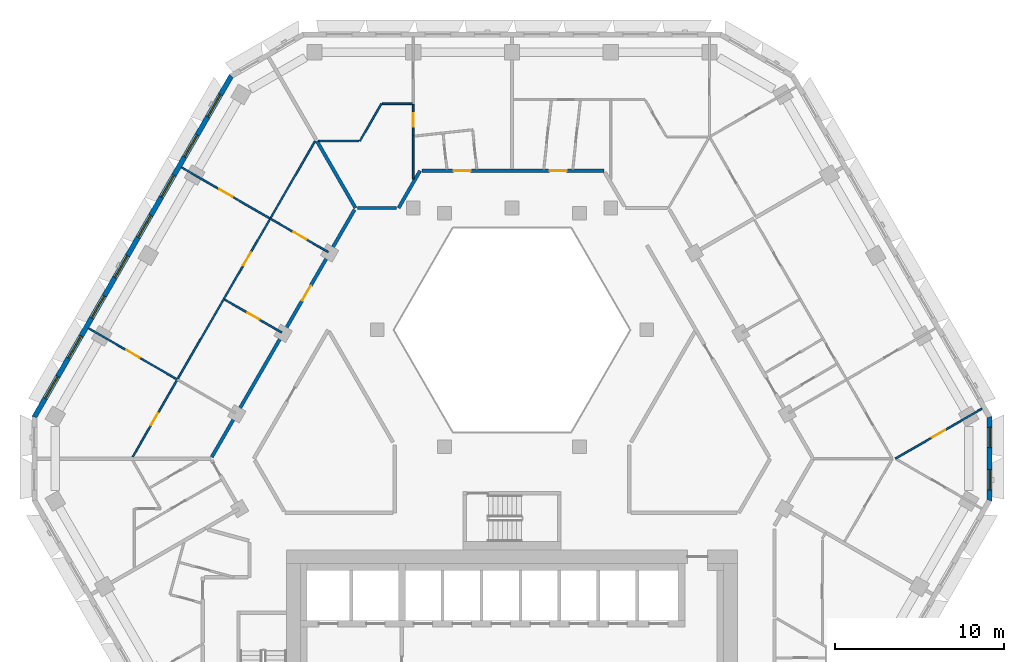
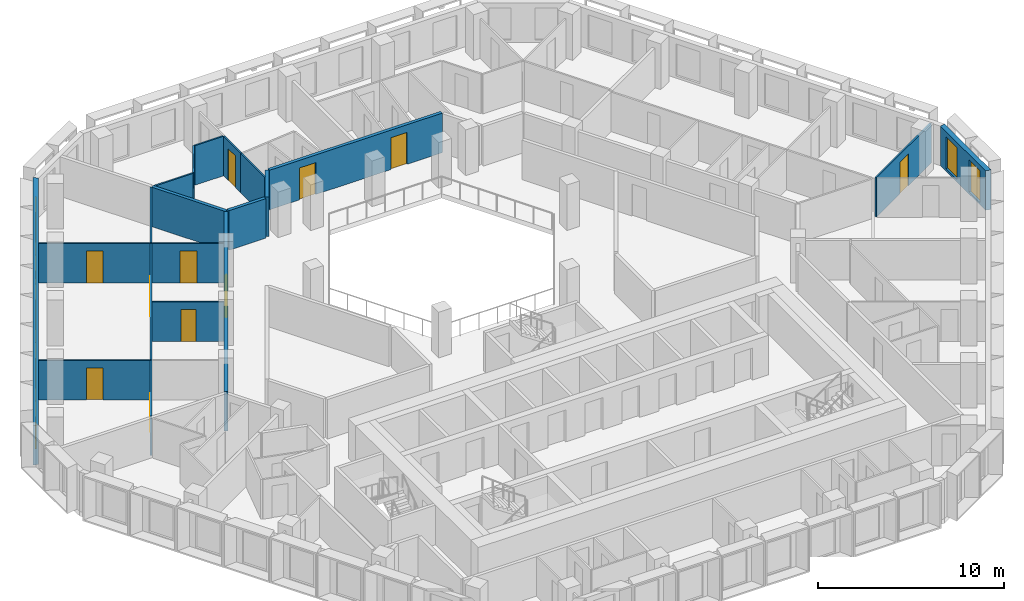
# One storey, part 7 of 17: 18 walls, 11 doors, 10 windows, 21 openings.
"""IFC4 building model written with IfcOpenShell, lengths in metres."""

from ifc_helpers import new_model, si_unit, direction, frame, frame_2d, origin, place, context, subcontext, project, spatial, polyline, rectangle, outline, extrude, material, layer, layer_set, type_object, element, fill, save


model = new_model("IFC4")

# Units and contexts
model_context = context("Model", 3, precision=1e-05, world=origin(), true_north=direction((0.0, 1.0)))
body_context = subcontext(model_context, "Body", "Model", "MODEL_VIEW")
ifc_project = project(units=[si_unit("LENGTHUNIT", "METRE"), si_unit("AREAUNIT", "SQUARE_METRE"), si_unit("VOLUMEUNIT", "CUBIC_METRE"), si_unit("PLANEANGLEUNIT", "RADIAN"), si_unit("MASSUNIT", "GRAM", prefix="KILO")], contexts=[model_context])

# Site, building, storey
site_placement = place(None, origin())
site = spatial("IfcSite", under=ifc_project, at=site_placement, CompositionType="ELEMENT")
building_placement = place(site_placement, origin())
building = spatial("IfcBuilding", under=site, at=building_placement, Name="Beryl Residences", CompositionType="ELEMENT")
storey_placement = place(building_placement, frame((0.0, 0.0, 150.60009765625)))
storey = spatial("IfcBuildingStorey", under=building, at=storey_placement, Name="L46", CompositionType="ELEMENT", Elevation=150.60009765625)

# Wall, openings, windows
ifc_material_1 = material(Name="Composite metal panel with mineral wool insulation")
ifc_layer_1 = layer(ifc_material_1, 0.300048828125)
ifc_layer_set_1 = layer_set([ifc_layer_1], Name="ES1 pale metal composite panel wall 300 mm")
wall_type_1 = type_object("IfcWallType", Name="ES1 pale metal composite panel wall 300 mm", PredefinedType="SOLIDWALL", material=ifc_layer_set_1)
wall_1_placement = place(storey_placement, frame((-16.554931640625, 23.02490234375, 0.0), z_axis=(0.0, 0.0, 1.0), x_axis=(-0.500020536353, -0.866013546791, 0.0)))
wall_1 = element("IfcWall", 1, at=wall_1_placement, inside=storey, type_object=wall_type_1, Name="ES1 external wall L46 NW", PredefinedType="SOLIDWALL", context=body_context, shape_type="SweptSolid", body=[
    extrude(outline(polyline([(0.0, -0.14990234375), (23.3251953125, -0.14990234375), (23.244873046875, 0.14990234375), (0.080322265625, 0.14990234375), (0.0, -0.14990234375)])), origin(), (0.0, 0.0, 1.0), 2.599853515625),
])
opening_1_placement = place(wall_1_placement, frame((1.31396484375, 0.0, 0.14990234375)))
opening_1 = element("IfcOpeningElement", 2, at=opening_1_placement, cuts=wall_1, Name="Opening W1", PredefinedType="OPENING", context=body_context, shape_type="SweptSolid", body=[
    extrude(rectangle(XDim=1.5, YDim=2.10009765625, at=frame_2d((0.75, 1.050048828125))), frame((0.0, 0.159912109375, 0.0), z_axis=(0.0, -1.0, 0.0), x_axis=(1.0, 0.0, 0.0)), (0.0, 0.0, 1.0), 0.320068359375),
])
opening_2_placement = place(wall_1_placement, frame((4.055908203125, 0.0, 0.14990234375)))
opening_2 = element("IfcOpeningElement", 3, at=opening_2_placement, cuts=wall_1, Name="Opening W1", PredefinedType="OPENING", context=body_context, shape_type="SweptSolid", body=[
    extrude(rectangle(XDim=1.5, YDim=2.10009765625, at=frame_2d((0.75, 1.050048828125))), frame((0.0, 0.159912109375, 0.0), z_axis=(0.0, -1.0, 0.0), x_axis=(1.0, 0.0, 0.0)), (0.0, 0.0, 1.0), 0.320068359375),
])
opening_3_placement = place(wall_1_placement, frame((6.799072265625, 0.0, 0.14990234375)))
opening_3 = element("IfcOpeningElement", 4, at=opening_3_placement, cuts=wall_1, Name="Opening W1", PredefinedType="OPENING", context=body_context, shape_type="SweptSolid", body=[
    extrude(rectangle(XDim=1.5, YDim=2.10009765625, at=frame_2d((0.75, 1.050048828125))), frame((0.0, 0.159912109375, 0.0), z_axis=(0.0, -1.0, 0.0), x_axis=(1.0, 0.0, 0.0)), (0.0, 0.0, 1.0), 0.320068359375),
])
opening_4_placement = place(wall_1_placement, frame((9.541015625, 0.0, 0.14990234375)))
opening_4 = element("IfcOpeningElement", 5, at=opening_4_placement, cuts=wall_1, Name="Opening W1", PredefinedType="OPENING", context=body_context, shape_type="SweptSolid", body=[
    extrude(rectangle(XDim=1.5, YDim=2.10009765625, at=frame_2d((0.75, 1.050048828125))), frame((0.0, 0.159912109375, 0.0), z_axis=(0.0, -1.0, 0.0), x_axis=(1.0, 0.0, 0.0)), (0.0, 0.0, 1.0), 0.320068359375),
])
opening_5_placement = place(wall_1_placement, frame((12.284912109375, 0.0, 0.14990234375)))
opening_5 = element("IfcOpeningElement", 6, at=opening_5_placement, cuts=wall_1, Name="Opening W1", PredefinedType="OPENING", context=body_context, shape_type="SweptSolid", body=[
    extrude(rectangle(XDim=1.5, YDim=2.10009765625, at=frame_2d((0.75, 1.050048828125))), frame((0.0, 0.159912109375, 0.0), z_axis=(0.0, -1.0, 0.0), x_axis=(1.0, 0.0, 0.0)), (0.0, 0.0, 1.0), 0.320068359375),
])
opening_6_placement = place(wall_1_placement, frame((15.027099609375, 0.0, 0.14990234375)))
opening_6 = element("IfcOpeningElement", 7, at=opening_6_placement, cuts=wall_1, Name="Opening W1", PredefinedType="OPENING", context=body_context, shape_type="SweptSolid", body=[
    extrude(rectangle(XDim=1.5, YDim=2.10009765625, at=frame_2d((0.75, 1.050048828125))), frame((0.0, 0.159912109375, 0.0), z_axis=(0.0, -1.0, 0.0), x_axis=(1.0, 0.0, 0.0)), (0.0, 0.0, 1.0), 0.320068359375),
])
opening_7_placement = place(wall_1_placement, frame((17.76904296875, 0.0, 0.14990234375)))
opening_7 = element("IfcOpeningElement", 8, at=opening_7_placement, cuts=wall_1, Name="Opening W1", PredefinedType="OPENING", context=body_context, shape_type="SweptSolid", body=[
    extrude(rectangle(XDim=1.5, YDim=2.10009765625, at=frame_2d((0.75, 1.050048828125))), frame((0.0, 0.159912109375, 0.0), z_axis=(0.0, -1.0, 0.0), x_axis=(1.0, 0.0, 0.0)), (0.0, 0.0, 1.0), 0.320068359375),
])
opening_8_placement = place(wall_1_placement, frame((20.511962890625, 0.0, 0.14990234375)))
opening_8 = element("IfcOpeningElement", 9, at=opening_8_placement, cuts=wall_1, Name="Opening W1", PredefinedType="OPENING", context=body_context, shape_type="SweptSolid", body=[
    extrude(rectangle(XDim=1.5, YDim=2.10009765625, at=frame_2d((0.75, 1.050048828125))), frame((0.0, 0.159912109375, 0.0), z_axis=(0.0, -1.0, 0.0), x_axis=(1.0, 0.0, 0.0)), (0.0, 0.0, 1.0), 0.320068359375),
])
ifc_material_2 = material(Name="Aluminium and clear glass", Category="aluminium")
window_type_1 = type_object("IfcWindowType", Name="W1 cell window 1500 x 2100 mm", PartitioningType="SINGLE_PANEL", PredefinedType="WINDOW", material=ifc_material_2)
window_1_placement = place(opening_1_placement, origin())
window_1 = element("IfcWindow", 10, at=window_1_placement, inside=storey, type_object=window_type_1, Name="W1 window L46 NW 1", OverallHeight=2.10009765625, OverallWidth=1.5, PartitioningType="SINGLE_PANEL", PredefinedType="WINDOW", context=body_context, shape_type="SweptSolid", body=[
    extrude(rectangle(XDim=1.5, YDim=2.10009765625, at=frame_2d((0.75, 1.050048828125))), frame((0.0, 0.030029296875, 0.0), z_axis=(0.0, -1.0, 0.0), x_axis=(1.0, 0.0, 0.0)), (0.0, 0.0, 1.0), 0.06005859375),
])
fill(opening_1, window_1)
window_2_placement = place(opening_2_placement, origin())
window_2 = element("IfcWindow", 11, at=window_2_placement, inside=storey, type_object=window_type_1, Name="W1 window L46 NW 2", OverallHeight=2.10009765625, OverallWidth=1.5, PartitioningType="SINGLE_PANEL", PredefinedType="WINDOW", context=body_context, shape_type="SweptSolid", body=[
    extrude(rectangle(XDim=1.5, YDim=2.10009765625, at=frame_2d((0.75, 1.050048828125))), frame((0.0, 0.030029296875, 0.0), z_axis=(0.0, -1.0, 0.0), x_axis=(1.0, 0.0, 0.0)), (0.0, 0.0, 1.0), 0.06005859375),
])
fill(opening_2, window_2)
window_3_placement = place(opening_3_placement, origin())
window_3 = element("IfcWindow", 12, at=window_3_placement, inside=storey, type_object=window_type_1, Name="W1 window L46 NW 3", OverallHeight=2.10009765625, OverallWidth=1.5, PartitioningType="SINGLE_PANEL", PredefinedType="WINDOW", context=body_context, shape_type="SweptSolid", body=[
    extrude(rectangle(XDim=1.5, YDim=2.10009765625, at=frame_2d((0.75, 1.050048828125))), frame((0.0, 0.030029296875, 0.0), z_axis=(0.0, -1.0, 0.0), x_axis=(1.0, 0.0, 0.0)), (0.0, 0.0, 1.0), 0.06005859375),
])
fill(opening_3, window_3)
window_4_placement = place(opening_4_placement, origin())
window_4 = element("IfcWindow", 13, at=window_4_placement, inside=storey, type_object=window_type_1, Name="W1 window L46 NW 4", OverallHeight=2.10009765625, OverallWidth=1.5, PartitioningType="SINGLE_PANEL", PredefinedType="WINDOW", context=body_context, shape_type="SweptSolid", body=[
    extrude(rectangle(XDim=1.5, YDim=2.10009765625, at=frame_2d((0.75, 1.050048828125))), frame((0.0, 0.030029296875, 0.0), z_axis=(0.0, -1.0, 0.0), x_axis=(1.0, 0.0, 0.0)), (0.0, 0.0, 1.0), 0.06005859375),
])
fill(opening_4, window_4)
window_5_placement = place(opening_5_placement, origin())
window_5 = element("IfcWindow", 14, at=window_5_placement, inside=storey, type_object=window_type_1, Name="W1 window L46 NW 5", OverallHeight=2.10009765625, OverallWidth=1.5, PartitioningType="SINGLE_PANEL", PredefinedType="WINDOW", context=body_context, shape_type="SweptSolid", body=[
    extrude(rectangle(XDim=1.5, YDim=2.10009765625, at=frame_2d((0.75, 1.050048828125))), frame((0.0, 0.030029296875, 0.0), z_axis=(0.0, -1.0, 0.0), x_axis=(1.0, 0.0, 0.0)), (0.0, 0.0, 1.0), 0.06005859375),
])
fill(opening_5, window_5)
window_6_placement = place(opening_6_placement, origin())
window_6 = element("IfcWindow", 15, at=window_6_placement, inside=storey, type_object=window_type_1, Name="W1 window L46 NW 6", OverallHeight=2.10009765625, OverallWidth=1.5, PartitioningType="SINGLE_PANEL", PredefinedType="WINDOW", context=body_context, shape_type="SweptSolid", body=[
    extrude(rectangle(XDim=1.5, YDim=2.10009765625, at=frame_2d((0.75, 1.050048828125))), frame((0.0, 0.030029296875, 0.0), z_axis=(0.0, -1.0, 0.0), x_axis=(1.0, 0.0, 0.0)), (0.0, 0.0, 1.0), 0.06005859375),
])
fill(opening_6, window_6)
window_7_placement = place(opening_7_placement, origin())
window_7 = element("IfcWindow", 16, at=window_7_placement, inside=storey, type_object=window_type_1, Name="W1 window L46 NW 7", OverallHeight=2.10009765625, OverallWidth=1.5, PartitioningType="SINGLE_PANEL", PredefinedType="WINDOW", context=body_context, shape_type="SweptSolid", body=[
    extrude(rectangle(XDim=1.5, YDim=2.10009765625, at=frame_2d((0.75, 1.050048828125))), frame((0.0, 0.030029296875, 0.0), z_axis=(0.0, -1.0, 0.0), x_axis=(1.0, 0.0, 0.0)), (0.0, 0.0, 1.0), 0.06005859375),
])
fill(opening_7, window_7)
window_8_placement = place(opening_8_placement, origin())
window_8 = element("IfcWindow", 17, at=window_8_placement, inside=storey, type_object=window_type_1, Name="W1 window L46 NW 8", OverallHeight=2.10009765625, OverallWidth=1.5, PartitioningType="SINGLE_PANEL", PredefinedType="WINDOW", context=body_context, shape_type="SweptSolid", body=[
    extrude(rectangle(XDim=1.5, YDim=2.10009765625, at=frame_2d((0.75, 1.050048828125))), frame((0.0, 0.030029296875, 0.0), z_axis=(0.0, -1.0, 0.0), x_axis=(1.0, 0.0, 0.0)), (0.0, 0.0, 1.0), 0.06005859375),
])
fill(opening_8, window_8)

wall_2_placement = place(storey_placement, frame((28.197998046875, -2.10009765625, 0.0), z_axis=(0.0, 0.0, 1.0), x_axis=(0.0, 1.0, 0.0)))
wall_2 = element("IfcWall", 18, at=wall_2_placement, inside=storey, type_object=wall_type_1, Name="ES1 external wall L46 SE-NE", PredefinedType="SOLIDWALL", context=body_context, shape_type="SweptSolid", body=[
    extrude(outline(polyline([(0.0, -0.14990234375), (5.0, -0.14990234375), (4.919677734375, 0.14990234375), (0.080322265625, 0.14990234375), (0.0, -0.14990234375)])), origin(), (0.0, 0.0, 1.0), 2.599853515625),
])
opening_9_placement = place(wall_2_placement, frame((0.64990234375, 0.0, 0.14990234375)))
opening_9 = element("IfcOpeningElement", 19, at=opening_9_placement, cuts=wall_2, Name="Opening W2", PredefinedType="OPENING", context=body_context, shape_type="SweptSolid", body=[
    extrude(rectangle(XDim=1.199951171875, YDim=2.10009765625, at=frame_2d((0.60009765625, 1.050048828125))), frame((0.0, 0.159912109375, 0.0), z_axis=(0.0, -1.0, 0.0), x_axis=(1.0, 0.0, 0.0)), (0.0, 0.0, 1.0), 0.320068359375),
])
opening_10_placement = place(wall_2_placement, frame((3.14990234375, 0.0, 0.14990234375)))
opening_10 = element("IfcOpeningElement", 20, at=opening_10_placement, cuts=wall_2, Name="Opening W2", PredefinedType="OPENING", context=body_context, shape_type="SweptSolid", body=[
    extrude(rectangle(XDim=1.199951171875, YDim=2.10009765625, at=frame_2d((0.60009765625, 1.050048828125))), frame((0.0, 0.159912109375, 0.0), z_axis=(0.0, -1.0, 0.0), x_axis=(1.0, 0.0, 0.0)), (0.0, 0.0, 1.0), 0.320068359375),
])
ifc_material_3 = material(Name="Aluminium and clear glass", Category="aluminium")
window_type_2 = type_object("IfcWindowType", Name="W2 chamfer window 1200 x 2100 mm", PartitioningType="SINGLE_PANEL", PredefinedType="WINDOW", material=ifc_material_3)
window_9_placement = place(opening_9_placement, origin())
window_9 = element("IfcWindow", 21, at=window_9_placement, inside=storey, type_object=window_type_2, Name="W2 window L46 SE-NE 1", OverallHeight=2.10009765625, OverallWidth=1.199951171875, PartitioningType="SINGLE_PANEL", PredefinedType="WINDOW", context=body_context, shape_type="SweptSolid", body=[
    extrude(rectangle(XDim=1.199951171875, YDim=2.10009765625, at=frame_2d((0.60009765625, 1.050048828125))), frame((0.0, 0.030029296875, 0.0), z_axis=(0.0, -1.0, 0.0), x_axis=(1.0, 0.0, 0.0)), (0.0, 0.0, 1.0), 0.06005859375),
])
fill(opening_9, window_9)
window_10_placement = place(opening_10_placement, origin())
window_10 = element("IfcWindow", 22, at=window_10_placement, inside=storey, type_object=window_type_2, Name="W2 window L46 SE-NE 2", OverallHeight=2.10009765625, OverallWidth=1.199951171875, PartitioningType="SINGLE_PANEL", PredefinedType="WINDOW", context=body_context, shape_type="SweptSolid", body=[
    extrude(rectangle(XDim=1.199951171875, YDim=2.10009765625, at=frame_2d((0.60009765625, 1.050048828125))), frame((0.0, 0.030029296875, 0.0), z_axis=(0.0, -1.0, 0.0), x_axis=(1.0, 0.0, 0.0)), (0.0, 0.0, 1.0), 0.06005859375),
])
fill(opening_10, window_10)

# Wall, opening, door
ifc_material_4 = material(Name="Gypsum board partition on steel studs", Category="steel")
ifc_layer_2 = layer(ifc_material_4, 0.10009765625)
ifc_layer_set_2 = layer_set([ifc_layer_2], Name="PT1 partition 100 mm gypsum board on steel studs")
wall_type_2 = type_object("IfcWallType", Name="PT1 partition 100 mm gypsum board on steel studs", PredefinedType="PARTITIONING", material=ifc_layer_set_2)
wall_3_placement = place(storey_placement, frame((-5.8310546875, 21.324951171875, 0.0), z_axis=(0.0, 0.0, 1.0), x_axis=(0.0, -1.0, 0.0)))
wall_3 = element("IfcWall", 23, at=wall_3_placement, inside=storey, type_object=wall_type_2, Name="Wall PT1 L46 007", PredefinedType="PARTITIONING", context=body_context, shape_type="SweptSolid", body=[
    extrude(rectangle(XDim=1.8388671875, YDim=0.10009765625, at=frame_2d((0.91943359375, 0.0))), origin(), (0.0, 0.0, 1.0), 2.599853515625),
])
opening_11_placement = place(wall_3_placement, frame((0.51904296875, 0.0, 0.0)))
opening_11 = element("IfcOpeningElement", 24, at=opening_11_placement, cuts=wall_3, Name="Opening D1142", PredefinedType="OPENING", context=body_context, shape_type="SweptSolid", body=[
    extrude(rectangle(XDim=0.800048828125, YDim=2.10009765625, at=frame_2d((0.39990234375, 1.050048828125))), frame((0.0, 0.06005859375, 0.0), z_axis=(0.0, -1.0, 0.0), x_axis=(1.0, 0.0, 0.0)), (0.0, 0.0, 1.0), 0.1201171875),
])
ifc_material_5 = material(Name="Timber door leaf", Category="wood")
door_type_1 = type_object("IfcDoorType", Name="D3 bathroom door 800 x 2100 mm", OperationType="SINGLE_SWING_LEFT", PredefinedType="DOOR", material=ifc_material_5)
door_1_placement = place(opening_11_placement, origin())
door_1 = element("IfcDoor", 25, at=door_1_placement, inside=storey, type_object=door_type_1, Name="Door D1142 L46 001", OperationType="SINGLE_SWING_RIGHT", OverallHeight=2.10009765625, OverallWidth=0.800048828125, PredefinedType="DOOR", context=body_context, shape_type="SweptSolid", body=[
    extrude(rectangle(XDim=0.800048828125, YDim=2.10009765625, at=frame_2d((0.39990234375, 1.050048828125))), frame((0.0, 0.02490234375, 0.0), z_axis=(0.0, -1.0, 0.0), x_axis=(1.0, 0.0, 0.0)), (0.0, 0.0, 1.0), 0.050048828125),
])
fill(opening_11, door_1)

wall_4_placement = place(storey_placement, frame((-24.9990234375, 8.10009765625, 0.0), z_axis=(0.0, 0.0, 1.0), x_axis=(0.865978029808, -0.500082045158, 0.0)))
wall_4 = element("IfcWall", 26, at=wall_4_placement, inside=storey, type_object=wall_type_2, Name="Wall PT1 L46 013", PredefinedType="PARTITIONING", context=body_context, shape_type="SweptSolid", body=[
    extrude(rectangle(XDim=6.05322265625, YDim=0.10009765625, at=frame_2d((3.026611328125, 0.0))), origin(), (0.0, 0.0, 1.0), 2.599853515625),
])
opening_12_placement = place(wall_4_placement, frame((2.576904296875, 0.0, 0.0)))
opening_12 = element("IfcOpeningElement", 27, at=opening_12_placement, cuts=wall_4, Name="Opening D1147", PredefinedType="OPENING", context=body_context, shape_type="SweptSolid", body=[
    extrude(rectangle(XDim=0.89990234375, YDim=2.10009765625, at=frame_2d((0.449951171875, 1.050048828125))), frame((0.0, 0.06005859375, 0.0), z_axis=(0.0, -1.0, 0.0), x_axis=(1.0, 0.0, 0.0)), (0.0, 0.0, 1.0), 0.1201171875),
])
ifc_material_6 = material(Name="Timber door leaf", Category="wood")
door_type_2 = type_object("IfcDoorType", Name="D2 room door 900 x 2100 mm", OperationType="SINGLE_SWING_LEFT", PredefinedType="DOOR", material=ifc_material_6)
door_2_placement = place(opening_12_placement, origin())
door_2 = element("IfcDoor", 28, at=door_2_placement, inside=storey, type_object=door_type_2, Name="Door D1147 L46 001", OperationType="SINGLE_SWING_LEFT", OverallHeight=2.10009765625, OverallWidth=0.89990234375, PredefinedType="DOOR", context=body_context, shape_type="SweptSolid", body=[
    extrude(rectangle(XDim=0.89990234375, YDim=2.10009765625, at=frame_2d((0.449951171875, 1.050048828125))), frame((0.0, 0.02490234375, 0.0), z_axis=(0.0, -1.0, 0.0), x_axis=(1.0, 0.0, 0.0)), (0.0, 0.0, 1.0), 0.050048828125),
])
fill(opening_12, door_2)

wall_5_placement = place(storey_placement, frame((-16.970947265625, 9.798095703125, 0.0), z_axis=(0.0, 0.0, 1.0), x_axis=(0.866087525071, -0.499892387336, 0.0)))
wall_5 = element("IfcWall", 29, at=wall_5_placement, inside=storey, type_object=wall_type_2, Name="Wall PT1 L46 015", PredefinedType="PARTITIONING", context=body_context, shape_type="SweptSolid", body=[
    extrude(rectangle(XDim=3.896728515625, YDim=0.10009765625, at=frame_2d((1.9482421875, 0.0))), origin(), (0.0, 0.0, 1.0), 2.599853515625),
])
opening_13_placement = place(wall_5_placement, frame((1.573974609375, 0.0, 0.0)))
opening_13 = element("IfcOpeningElement", 30, at=opening_13_placement, cuts=wall_5, Name="Opening D1146", PredefinedType="OPENING", context=body_context, shape_type="SweptSolid", body=[
    extrude(rectangle(XDim=0.800048828125, YDim=2.10009765625, at=frame_2d((0.39990234375, 1.050048828125))), frame((0.0, 0.06005859375, 0.0), z_axis=(0.0, -1.0, 0.0), x_axis=(1.0, 0.0, 0.0)), (0.0, 0.0, 1.0), 0.1201171875),
])
door_3_placement = place(opening_13_placement, origin())
door_3 = element("IfcDoor", 31, at=door_3_placement, inside=storey, type_object=door_type_1, Name="Door D1146 L46 001", OperationType="SINGLE_SWING_RIGHT", OverallHeight=2.10009765625, OverallWidth=0.800048828125, PredefinedType="DOOR", context=body_context, shape_type="SweptSolid", body=[
    extrude(rectangle(XDim=0.800048828125, YDim=2.10009765625, at=frame_2d((0.39990234375, 1.050048828125))), frame((0.0, 0.02490234375, 0.0), z_axis=(0.0, -1.0, 0.0), x_axis=(1.0, 0.0, 0.0)), (0.0, 0.0, 1.0), 0.050048828125),
])
fill(opening_13, door_3)

wall_6_placement = place(storey_placement, frame((-19.513916015625, 17.59912109375, 0.0), z_axis=(0.0, 0.0, 1.0), x_axis=(0.866007554612, -0.500030914399, 0.0)))
wall_6 = element("IfcWall", 32, at=wall_6_placement, inside=storey, type_object=wall_type_2, Name="Wall PT1 L46 017", PredefinedType="PARTITIONING", context=body_context, shape_type="SweptSolid", body=[
    extrude(rectangle(XDim=6.0517578125, YDim=0.10009765625, at=frame_2d((3.02587890625, 0.0))), origin(), (0.0, 0.0, 1.0), 2.599853515625),
])
opening_14_placement = place(wall_6_placement, frame((2.575927734375, 0.0, 0.0)))
opening_14 = element("IfcOpeningElement", 33, at=opening_14_placement, cuts=wall_6, Name="Opening D1148", PredefinedType="OPENING", context=body_context, shape_type="SweptSolid", body=[
    extrude(rectangle(XDim=0.89990234375, YDim=2.10009765625, at=frame_2d((0.449951171875, 1.050048828125))), frame((0.0, 0.06005859375, 0.0), z_axis=(0.0, -1.0, 0.0), x_axis=(1.0, 0.0, 0.0)), (0.0, 0.0, 1.0), 0.1201171875),
])
door_4_placement = place(opening_14_placement, origin())
door_4 = element("IfcDoor", 34, at=door_4_placement, inside=storey, type_object=door_type_2, Name="Door D1148 L46 001", OperationType="SINGLE_SWING_RIGHT", OverallHeight=2.10009765625, OverallWidth=0.89990234375, PredefinedType="DOOR", context=body_context, shape_type="SweptSolid", body=[
    extrude(rectangle(XDim=0.89990234375, YDim=2.10009765625, at=frame_2d((0.449951171875, 1.050048828125))), frame((0.0, 0.02490234375, 0.0), z_axis=(0.0, -1.0, 0.0), x_axis=(1.0, 0.0, 0.0)), (0.0, 0.0, 1.0), 0.050048828125),
])
fill(opening_14, door_4)

# Walls
wall_7_placement = place(storey_placement, frame((-11.405029296875, 19.155029296875, 0.0), z_axis=(0.0, 0.0, 1.0), x_axis=(1.0, 0.0, 0.0)))
element("IfcWall", 35, at=wall_7_placement, inside=storey, type_object=wall_type_2, Name="Wall PT1 L46 025", PredefinedType="PARTITIONING", context=body_context, shape_type="SweptSolid", body=[
    extrude(rectangle(XDim=2.366943359375, YDim=0.10009765625, at=frame_2d((1.18359375, 0.0))), origin(), (0.0, 0.0, 1.0), 2.599853515625),
])
wall_8_placement = place(storey_placement, frame((-7.652099609375, 21.35498046875, 0.0), z_axis=(0.0, 0.0, 1.0), x_axis=(1.0, 0.0, 0.0)))
element("IfcWall", 36, at=wall_8_placement, inside=storey, type_object=wall_type_2, Name="Wall PT1 L46 027", PredefinedType="PARTITIONING", context=body_context, shape_type="SweptSolid", body=[
    extrude(rectangle(XDim=1.77099609375, YDim=0.10009765625, at=frame_2d((0.885498046875, 0.0))), origin(), (0.0, 0.0, 1.0), 2.599853515625),
])
wall_9_placement = place(storey_placement, frame((-8.98095703125, 19.155029296875, 0.0), z_axis=(0.0, 0.0, 1.0), x_axis=(0.500130227609, 0.865950203783, 0.0)))
element("IfcWall", 37, at=wall_9_placement, inside=storey, type_object=wall_type_2, Name="Wall PT1 L46 032", PredefinedType="PARTITIONING", context=body_context, shape_type="SweptSolid", body=[
    extrude(rectangle(XDim=2.539306640625, YDim=0.10009765625, at=frame_2d((1.26953125, 0.0))), origin(), (0.0, 0.0, 1.0), 2.599853515625),
])

# Wall, openings, doors
wall_10_placement = place(storey_placement, frame((-22.39794921875, 0.4990234375, 0.0), z_axis=(0.0, 0.0, 1.0), x_axis=(0.499981561717, 0.866036048871, 0.0)))
wall_10 = element("IfcWall", 38, at=wall_10_placement, inside=storey, type_object=wall_type_2, Name="Wall PT1 L46 033", PredefinedType="PARTITIONING", context=body_context, shape_type="SweptSolid", body=[
    extrude(rectangle(XDim=21.532470703125, YDim=0.10009765625, at=frame_2d((10.76611328125, 0.0))), origin(), (0.0, 0.0, 1.0), 2.599853515625),
])
opening_15_placement = place(wall_10_placement, frame((13.049072265625, 0.0, 0.0)))
opening_15 = element("IfcOpeningElement", 39, at=opening_15_placement, cuts=wall_10, Name="Opening D1144", PredefinedType="OPENING", context=body_context, shape_type="SweptSolid", body=[
    extrude(rectangle(XDim=0.89990234375, YDim=2.10009765625, at=frame_2d((0.449951171875, 1.050048828125))), frame((0.0, 0.06005859375, 0.0), z_axis=(0.0, -1.0, 0.0), x_axis=(1.0, 0.0, 0.0)), (0.0, 0.0, 1.0), 0.1201171875),
])
opening_16_placement = place(wall_10_placement, frame((2.18310546875, 0.0, 0.0)))
opening_16 = element("IfcOpeningElement", 40, at=opening_16_placement, cuts=wall_10, Name="Opening D1149", PredefinedType="OPENING", context=body_context, shape_type="SweptSolid", body=[
    extrude(rectangle(XDim=0.800048828125, YDim=2.10009765625, at=frame_2d((0.39990234375, 1.050048828125))), frame((0.0, 0.06005859375, 0.0), z_axis=(0.0, -1.0, 0.0), x_axis=(1.0, 0.0, 0.0)), (0.0, 0.0, 1.0), 0.1201171875),
])
door_5_placement = place(opening_15_placement, origin())
door_5 = element("IfcDoor", 41, at=door_5_placement, inside=storey, type_object=door_type_2, Name="Door D1144 L46 001", OperationType="SINGLE_SWING_RIGHT", OverallHeight=2.10009765625, OverallWidth=0.89990234375, PredefinedType="DOOR", context=body_context, shape_type="SweptSolid", body=[
    extrude(rectangle(XDim=0.89990234375, YDim=2.10009765625, at=frame_2d((0.449951171875, 1.050048828125))), frame((0.0, 0.02490234375, 0.0), z_axis=(0.0, -1.0, 0.0), x_axis=(1.0, 0.0, 0.0)), (0.0, 0.0, 1.0), 0.050048828125),
])
fill(opening_15, door_5)
door_6_placement = place(opening_16_placement, origin())
door_6 = element("IfcDoor", 42, at=door_6_placement, inside=storey, type_object=door_type_1, Name="Door D1149 L46 001", OperationType="SINGLE_SWING_LEFT", OverallHeight=2.10009765625, OverallWidth=0.800048828125, PredefinedType="DOOR", context=body_context, shape_type="SweptSolid", body=[
    extrude(rectangle(XDim=0.800048828125, YDim=2.10009765625, at=frame_2d((0.39990234375, 1.050048828125))), frame((0.0, 0.02490234375, 0.0), z_axis=(0.0, -1.0, 0.0), x_axis=(1.0, 0.0, 0.0)), (0.0, 0.0, 1.0), 0.050048828125),
])
fill(opening_16, door_6)

# Wall
wall_11_placement = place(storey_placement, frame((-5.8310546875, 16.903076171875, 0.0), z_axis=(0.0, 0.0, 1.0), x_axis=(0.0, 1.0, 0.0)))
element("IfcWall", 43, at=wall_11_placement, inside=storey, type_object=wall_type_2, Name="Wall PT1 L46 045", PredefinedType="PARTITIONING", context=body_context, shape_type="SweptSolid", body=[
    extrude(rectangle(XDim=2.552978515625, YDim=0.10009765625, at=frame_2d((1.2763671875, 0.0))), origin(), (0.0, 0.0, 1.0), 2.599853515625),
])

# Wall, opening, door
wall_12_placement = place(storey_placement, frame((22.634033203125, 0.40087890625, 0.0), z_axis=(0.0, 0.0, 1.0), x_axis=(0.86601325737, 0.500021037617, 0.0)))
wall_12 = element("IfcWall", 44, at=wall_12_placement, inside=storey, type_object=wall_type_2, Name="Wall PT1 L46 051", PredefinedType="PARTITIONING", context=body_context, shape_type="SweptSolid", body=[
    extrude(rectangle(XDim=5.898193359375, YDim=0.10009765625, at=frame_2d((2.94921875, 0.0))), origin(), (0.0, 0.0, 1.0), 2.599853515625),
])
opening_17_placement = place(wall_12_placement, frame((2.4990234375, 0.0, 0.0)))
opening_17 = element("IfcOpeningElement", 45, at=opening_17_placement, cuts=wall_12, Name="Opening D1126", PredefinedType="OPENING", context=body_context, shape_type="SweptSolid", body=[
    extrude(rectangle(XDim=0.89990234375, YDim=2.10009765625, at=frame_2d((0.449951171875, 1.050048828125))), frame((0.0, 0.06005859375, 0.0), z_axis=(0.0, -1.0, 0.0), x_axis=(1.0, 0.0, 0.0)), (0.0, 0.0, 1.0), 0.1201171875),
])
door_7_placement = place(opening_17_placement, origin())
door_7 = element("IfcDoor", 46, at=door_7_placement, inside=storey, type_object=door_type_2, Name="Door D1126 L46 001", OperationType="SINGLE_SWING_RIGHT", OverallHeight=2.10009765625, OverallWidth=0.89990234375, PredefinedType="DOOR", context=body_context, shape_type="SweptSolid", body=[
    extrude(rectangle(XDim=0.89990234375, YDim=2.10009765625, at=frame_2d((0.449951171875, 1.050048828125))), frame((0.0, 0.02490234375, 0.0), z_axis=(0.0, -1.0, 0.0), x_axis=(1.0, 0.0, 0.0)), (0.0, 0.0, 1.0), 0.050048828125),
])
fill(opening_17, door_7)

wall_13_placement = place(storey_placement, frame((-14.27294921875, 14.572998046875, 0.0), z_axis=(0.0, 0.0, 1.0), x_axis=(0.866138216955, -0.499804550929, 0.0)))
wall_13 = element("IfcWall", 47, at=wall_13_placement, inside=storey, type_object=wall_type_2, Name="Wall PT1 L46 061", PredefinedType="PARTITIONING", context=body_context, shape_type="SweptSolid", body=[
    extrude(rectangle(XDim=3.947265625, YDim=0.10009765625, at=frame_2d((1.9736328125, 0.0))), origin(), (0.0, 0.0, 1.0), 2.599853515625),
])
opening_18_placement = place(wall_13_placement, frame((1.573974609375, 0.0, 0.0)))
opening_18 = element("IfcOpeningElement", 48, at=opening_18_placement, cuts=wall_13, Name="Opening D1145", PredefinedType="OPENING", context=body_context, shape_type="SweptSolid", body=[
    extrude(rectangle(XDim=0.89990234375, YDim=2.10009765625, at=frame_2d((0.449951171875, 1.050048828125))), frame((0.0, 0.06005859375, 0.0), z_axis=(0.0, -1.0, 0.0), x_axis=(1.0, 0.0, 0.0)), (0.0, 0.0, 1.0), 0.1201171875),
])
door_8_placement = place(opening_18_placement, origin())
door_8 = element("IfcDoor", 49, at=door_8_placement, inside=storey, type_object=door_type_2, Name="Door D1145 L46 001", OperationType="SINGLE_SWING_LEFT", OverallHeight=2.10009765625, OverallWidth=0.89990234375, PredefinedType="DOOR", context=body_context, shape_type="SweptSolid", body=[
    extrude(rectangle(XDim=0.89990234375, YDim=2.10009765625, at=frame_2d((0.449951171875, 1.050048828125))), frame((0.0, 0.02490234375, 0.0), z_axis=(0.0, -1.0, 0.0), x_axis=(1.0, 0.0, 0.0)), (0.0, 0.0, 1.0), 0.050048828125),
])
fill(opening_18, door_8)

# Walls
ifc_material_7 = material(Name="Acoustic double stud gypsum board wall")
ifc_layer_3 = layer(ifc_material_7, 0.199951171875)
ifc_layer_set_3 = layer_set([ifc_layer_3], Name="PT3 party wall 200 mm acoustic double stud")
wall_type_3 = type_object("IfcWallType", Name="PT3 party wall 200 mm acoustic double stud", PredefinedType="PARTITIONING", material=ifc_layer_set_3)
wall_14_placement = place(storey_placement, frame((-11.52001953125, 19.155029296875, 0.0), z_axis=(0.0, 0.0, 1.0), x_axis=(0.499916824138, -0.866073420066, 0.0)))
element("IfcWall", 50, at=wall_14_placement, inside=storey, type_object=wall_type_3, Name="Wall PT3 L46 002", PredefinedType="PARTITIONING", context=body_context, shape_type="SweptSolid", body=[
    extrude(rectangle(XDim=4.566650390625, YDim=0.199951171875, at=frame_2d((2.283203125, 0.0))), origin(), (0.0, 0.0, 1.0), 2.599853515625),
])
ifc_material_8 = material(Name="Double stud gypsum board wall")
ifc_layer_4 = layer(ifc_material_8, 0.199951171875)
ifc_layer_set_4 = layer_set([ifc_layer_4], Name="PT4 corridor wall 200 mm double stud")
wall_type_4 = type_object("IfcWallType", Name="PT4 corridor wall 200 mm double stud", PredefinedType="PARTITIONING", material=ifc_layer_set_4)
wall_15_placement = place(storey_placement, frame((-9.12109375, 15.199951171875, 0.0), z_axis=(0.0, 0.0, 1.0), x_axis=(1.0, 0.0, 0.0)))
element("IfcWall", 51, at=wall_15_placement, inside=storey, type_object=wall_type_4, Name="Wall PT4 L46 015", PredefinedType="PARTITIONING", context=body_context, shape_type="SweptSolid", body=[
    extrude(rectangle(XDim=2.30810546875, YDim=0.199951171875, at=frame_2d((1.154052734375, 0.0))), origin(), (0.0, 0.0, 1.0), 2.599853515625),
])

# Wall, openings, doors
wall_16_placement = place(storey_placement, frame((-5.31201171875, 17.39990234375, 0.0), z_axis=(0.0, 0.0, 1.0), x_axis=(1.0, 0.0, 0.0)))
wall_16 = element("IfcWall", 52, at=wall_16_placement, inside=storey, type_object=wall_type_4, Name="Wall PT4 L46 017", PredefinedType="PARTITIONING", context=body_context, shape_type="SweptSolid", body=[
    extrude(rectangle(XDim=10.739013671875, YDim=0.199951171875, at=frame_2d((5.36962890625, 0.0))), origin(), (0.0, 0.0, 1.0), 2.599853515625),
])
opening_19_placement = place(wall_16_placement, frame((7.5380859375, 0.0, 0.0)))
opening_19 = element("IfcOpeningElement", 53, at=opening_19_placement, cuts=wall_16, Name="Opening D1130", PredefinedType="OPENING", context=body_context, shape_type="SweptSolid", body=[
    extrude(rectangle(XDim=1.0, YDim=2.10009765625, at=frame_2d((0.5, 1.050048828125))), frame((0.0, 0.10986328125, 0.0), z_axis=(0.0, -1.0, 0.0), x_axis=(1.0, 0.0, 0.0)), (0.0, 0.0, 1.0), 0.219970703125),
])
opening_20_placement = place(wall_16_placement, frame((1.864013671875, 0.0, 0.0)))
opening_20 = element("IfcOpeningElement", 54, at=opening_20_placement, cuts=wall_16, Name="Opening D1138", PredefinedType="OPENING", context=body_context, shape_type="SweptSolid", body=[
    extrude(rectangle(XDim=1.0, YDim=2.10009765625, at=frame_2d((0.5, 1.050048828125))), frame((0.0, 0.10986328125, 0.0), z_axis=(0.0, -1.0, 0.0), x_axis=(1.0, 0.0, 0.0)), (0.0, 0.0, 1.0), 0.219970703125),
])
ifc_material_9 = material(Name="Timber door leaf", Category="wood")
door_type_3 = type_object("IfcDoorType", Name="D1 flat entrance door 1000 x 2100 mm", OperationType="SINGLE_SWING_LEFT", PredefinedType="DOOR", material=ifc_material_9)
door_9_placement = place(opening_19_placement, origin())
door_9 = element("IfcDoor", 55, at=door_9_placement, inside=storey, type_object=door_type_3, Name="Door D1130 L46 001", OperationType="SINGLE_SWING_RIGHT", OverallHeight=2.10009765625, OverallWidth=1.0, PredefinedType="DOOR", context=body_context, shape_type="SweptSolid", body=[
    extrude(rectangle(XDim=1.0, YDim=2.10009765625, at=frame_2d((0.5, 1.050048828125))), frame((0.0, 0.02490234375, 0.0), z_axis=(0.0, -1.0, 0.0), x_axis=(1.0, 0.0, 0.0)), (0.0, 0.0, 1.0), 0.050048828125),
])
fill(opening_19, door_9)
door_10_placement = place(opening_20_placement, origin())
door_10 = element("IfcDoor", 56, at=door_10_placement, inside=storey, type_object=door_type_3, Name="Door D1138 L46 001", OperationType="SINGLE_SWING_RIGHT", OverallHeight=2.10009765625, OverallWidth=1.0, PredefinedType="DOOR", context=body_context, shape_type="SweptSolid", body=[
    extrude(rectangle(XDim=1.0, YDim=2.10009765625, at=frame_2d((0.5, 1.050048828125))), frame((0.0, 0.02490234375, 0.0), z_axis=(0.0, -1.0, 0.0), x_axis=(1.0, 0.0, 0.0)), (0.0, 0.0, 1.0), 0.050048828125),
])
fill(opening_20, door_10)

# Wall
wall_17_placement = place(storey_placement, frame((-6.697021484375, 15.199951171875, 0.0), z_axis=(0.0, 0.0, 1.0), x_axis=(0.499963722229, 0.866046347752, 0.0)))
element("IfcWall", 57, at=wall_17_placement, inside=storey, type_object=wall_type_4, Name="Wall PT4 L46 022", PredefinedType="PARTITIONING", context=body_context, shape_type="SweptSolid", body=[
    extrude(rectangle(XDim=2.540283203125, YDim=0.199951171875, at=frame_2d((1.27001953125, 0.0))), origin(), (0.0, 0.0, 1.0), 2.599853515625),
])

# Wall, opening, door
wall_18_placement = place(storey_placement, frame((-17.72412109375, 0.5, 0.0), z_axis=(0.0, 0.0, 1.0), x_axis=(0.499992388462, 0.866029798263, 0.0)))
wall_18 = element("IfcWall", 58, at=wall_18_placement, inside=storey, type_object=wall_type_4, Name="Wall PT4 L46 023", PredefinedType="PARTITIONING", context=body_context, shape_type="SweptSolid", body=[
    extrude(rectangle(XDim=16.858642578125, YDim=0.199951171875, at=frame_2d((8.42919921875, 0.0))), origin(), (0.0, 0.0, 1.0), 2.599853515625),
])
opening_21_placement = place(wall_18_placement, frame((10.672119140625, 0.0, 0.0)))
opening_21 = element("IfcOpeningElement", 59, at=opening_21_placement, cuts=wall_18, Name="Opening D1143", PredefinedType="OPENING", context=body_context, shape_type="SweptSolid", body=[
    extrude(rectangle(XDim=1.0, YDim=2.10009765625, at=frame_2d((0.5, 1.050048828125))), frame((0.0, 0.10986328125, 0.0), z_axis=(0.0, -1.0, 0.0), x_axis=(1.0, 0.0, 0.0)), (0.0, 0.0, 1.0), 0.219970703125),
])
door_11_placement = place(opening_21_placement, origin())
door_11 = element("IfcDoor", 60, at=door_11_placement, inside=storey, type_object=door_type_3, Name="Door D1143 L46 001", OperationType="SINGLE_SWING_LEFT", OverallHeight=2.10009765625, OverallWidth=1.0, PredefinedType="DOOR", context=body_context, shape_type="SweptSolid", body=[
    extrude(rectangle(XDim=1.0, YDim=2.10009765625, at=frame_2d((0.5, 1.050048828125))), frame((0.0, 0.02490234375, 0.0), z_axis=(0.0, -1.0, 0.0), x_axis=(1.0, 0.0, 0.0)), (0.0, 0.0, 1.0), 0.050048828125),
])
fill(opening_21, door_11)

save(model, "model.ifc")
